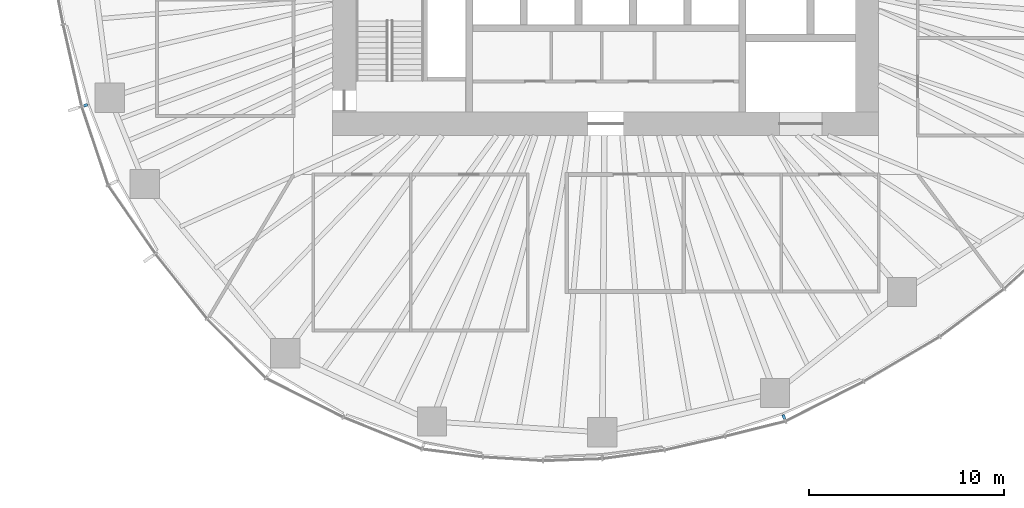
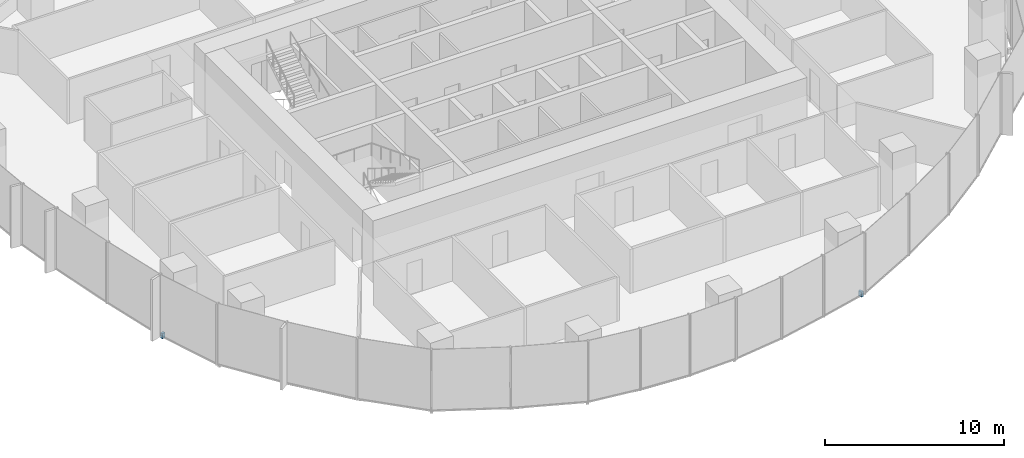
# One storey, part 13 of 18: 2 discrete accessories.
"""IFC4 building model written with IfcOpenShell, lengths in metres."""

from ifc_helpers import new_model, si_unit, direction, frame, origin, origin_2d, place, context, subcontext, project, spatial, rectangle, extrude, material, type_object, element, save


model = new_model("IFC4")

# Units and contexts
model_context = context("Model", 3, precision=1e-05, world=origin(), true_north=direction((0.0, 1.0)))
body_context = subcontext(model_context, "Body", "Model", "MODEL_VIEW")
ifc_project = project(units=[si_unit("LENGTHUNIT", "METRE"), si_unit("AREAUNIT", "SQUARE_METRE"), si_unit("VOLUMEUNIT", "CUBIC_METRE"), si_unit("PLANEANGLEUNIT", "RADIAN"), si_unit("MASSUNIT", "GRAM", prefix="KILO")], contexts=[model_context])

# Site, building, storey
site_placement = place(None, origin())
site = spatial("IfcSite", under=ifc_project, at=site_placement, CompositionType="ELEMENT")
building_placement = place(site_placement, origin())
building = spatial("IfcBuilding", under=site, at=building_placement, Name="Ghaith Harvest Tower", CompositionType="ELEMENT")
storey_placement = place(building_placement, frame((0.0, 0.0, 126.0)))
storey = spatial("IfcBuildingStorey", under=building, at=storey_placement, Name="L26", CompositionType="ELEMENT", Elevation=126.0)

# Discrete accessories
ifc_material_1 = material(Name="Stainless steel grade 1.4401", Category="steel")
discrete_accessory_type_1 = type_object("IfcDiscreteAccessoryType", Name="CURTAIN WALL BRACKET 205", PredefinedType="BRACKET", material=ifc_material_1)
discrete_accessory_1_placement = place(storey_placement, frame((-26.673095703125, -8.453125, -0.25), z_axis=(0.0, 0.0, 1.0), x_axis=(-0.953273219416, -0.302109531701, 0.0)))
element("IfcDiscreteAccessory", 1, at=discrete_accessory_1_placement, inside=storey, type_object=discrete_accessory_type_1, Name="CW-L bracket 1 bay 12 L26", PredefinedType="BRACKET", context=body_context, shape_type="SweptSolid", body=[
    extrude(rectangle(XDim=0.205078125, YDim=0.14990234375, at=origin_2d()), origin(), (0.0, 0.0, 1.0), 0.35009765625),
])
ifc_material_2 = material(Name="Stainless steel grade 1.4401", Category="steel")
discrete_accessory_type_2 = type_object("IfcDiscreteAccessoryType", Name="CURTAIN WALL BRACKET 245", PredefinedType="BRACKET", material=ifc_material_2)
discrete_accessory_2_placement = place(storey_placement, frame((9.135498046875, -24.436767578125, -0.25), z_axis=(0.0, 0.0, 1.0), x_axis=(0.35016769691, -0.93668702566, 0.0)))
element("IfcDiscreteAccessory", 2, at=discrete_accessory_2_placement, inside=storey, type_object=discrete_accessory_type_2, Name="CW-L bracket 1 bay 17 L26", PredefinedType="BRACKET", context=body_context, shape_type="SweptSolid", body=[
    extrude(rectangle(XDim=0.2451171875, YDim=0.14990234375, at=origin_2d()), origin(), (0.0, 0.0, 1.0), 0.35009765625),
])

save(model, "model.ifc")
